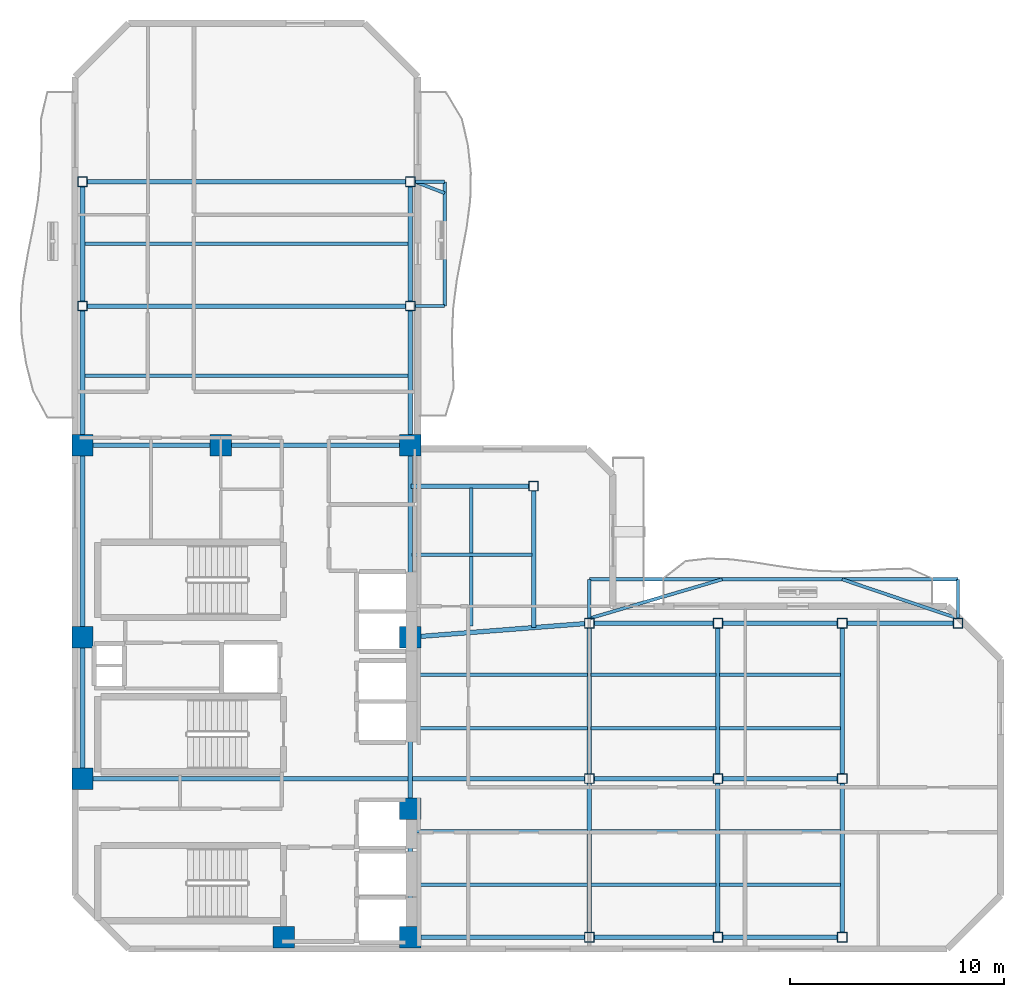
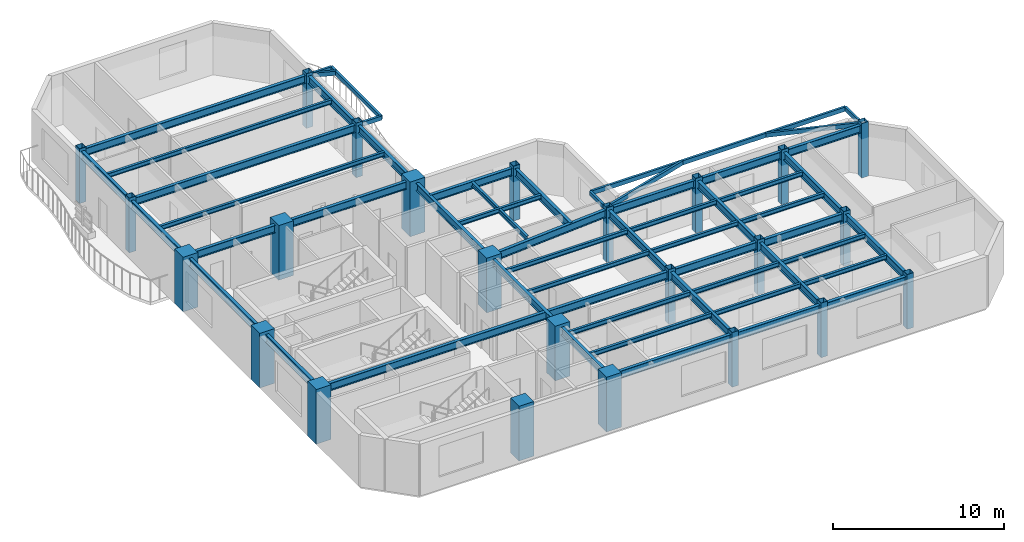
# One storey, part 1 of 9: 56 beams, 24 columns.
"""IFC4 building model written with IfcOpenShell, lengths in metres."""

from ifc_helpers import new_model, si_unit, direction, frame, origin, origin_2d, place, context, subcontext, project, spatial, rectangle, hollow_rectangle, i_section, extrude, material, material_profile, profile_set, type_object, element, save


model = new_model("IFC4")

# Units and contexts
model_context = context("Model", 3, precision=1e-05, world=origin(), true_north=direction((0.0, 1.0)))
body_context = subcontext(model_context, "Body", "Model", "MODEL_VIEW")
ifc_project = project(units=[si_unit("LENGTHUNIT", "METRE"), si_unit("AREAUNIT", "SQUARE_METRE"), si_unit("VOLUMEUNIT", "CUBIC_METRE"), si_unit("PLANEANGLEUNIT", "RADIAN"), si_unit("MASSUNIT", "GRAM", prefix="KILO")], contexts=[model_context])

# Site, building, storey
site_placement = place(None, origin())
site = spatial("IfcSite", under=ifc_project, at=site_placement, CompositionType="ELEMENT")
building_placement = place(site_placement, origin())
building = spatial("IfcBuilding", under=site, at=building_placement, Name="Mawjaban Terraces University", CompositionType="ELEMENT")
storey_placement = place(building_placement, frame((0.0, 0.0, 195.300048828125)))
storey = spatial("IfcBuildingStorey", under=building, at=storey_placement, Name="L47", CompositionType="ELEMENT", Elevation=195.300048828125)

# Columns
ifc_material_1 = material(Name="Concrete C60/75", Category="concrete")
ifc_material_profile_1 = material_profile(ifc_material_1, rectangle(XDim=1.0, YDim=1.0, at=origin_2d()), Name="RC1000X1000")
ifc_profile_set_1 = profile_set([ifc_material_profile_1], Name="Concrete C60/75")
column_type_1 = type_object("IfcColumnType", Name="Col_RC1000X1000", PredefinedType="COLUMN", material=ifc_profile_set_1)
for number, where, z_axis, x_axis, name in (
    (1, (31.75, 0.550048828125, 0.0), (0.0, 0.0, 1.0), (1.0, 0.0, 0.0), "L47 Column CC2"),
    (2, (37.64990234375, 0.550048828125, 0.0), (0.0, 0.0, 1.0), (1.0, 0.0, 0.0), "L47 Column CC3"),
    (3, (22.35009765625, 7.949951171875, 0.0), (0.0, 0.0, 1.0), (1.0, 0.0, 0.0), "L47 Column CC4"),
    (4, (37.64990234375, 6.550048828125, 0.0), (0.0, 0.0, 1.0), (1.0, 0.0, 0.0), "L47 Column CC5"),
    (5, (22.35009765625, 14.550048828125, 0.0), (0.0, 0.0, 1.0), (1.0, 0.0, 0.0), "L47 Column CC6"),
    (6, (37.64990234375, 14.550048828125, 0.0), (0.0, 0.0, 1.0), (1.0, 0.0, 0.0), "L47 Column CC7"),
    (7, (22.35009765625, 23.5, 0.0), (0.0, 0.0, 1.0), (1.0, 0.0, 0.0), "L47 Column CC8"),
    (8, (28.800048828125, 23.5, 0.0), (0.0, 0.0, 1.0), (1.0, 0.0, 0.0), "L47 Column CC9"),
    (9, (37.64990234375, 23.5, 0.0), (0.0, 0.0, 1.0), (1.0, 0.0, 0.0), "L47 Column CC10"),
):
    element("IfcColumn", number, at=place(storey_placement, frame(where, z_axis=z_axis, x_axis=x_axis)), inside=storey, type_object=column_type_1, Name=name, PredefinedType="COLUMN", context=body_context, shape_type="SweptSolid", body=[
        extrude(rectangle(XDim=1.0, YDim=1.0, at=origin_2d()), origin(), (0.0, 0.0, 1.0), 3.89990234375),
    ])
ifc_material_2 = material(Name="Steel EN 10210-1 S355J2H", Category="steel")
ifc_material_profile_2 = material_profile(ifc_material_2, hollow_rectangle(XDim=0.449951171875, YDim=0.449951171875, WallThickness=0.02001953125, at=origin_2d()), Name="SHS450X450X20")
ifc_profile_set_2 = profile_set([ifc_material_profile_2], Name="Steel EN 10210-1 S355J2H")
column_type_2 = type_object("IfcColumnType", Name="Col_SHS450X450X20", PredefinedType="COLUMN", material=ifc_profile_set_2)
for number, where, z_axis, x_axis, name in (
    (10, (46.0, 0.550048828125, 0.0), (0.0, 0.0, 1.0), (1.0, 0.0, 0.0), "L47 Column TE-460-005"),
    (11, (46.0, 7.949951171875, 0.0), (0.0, 0.0, 1.0), (1.0, 0.0, 0.0), "L47 Column TE-460-080"),
    (12, (46.0, 15.199951171875, 0.0), (0.0, 0.0, 1.0), (1.0, 0.0, 0.0), "L47 Column TE-460-152"),
    (13, (52.0, 0.550048828125, 0.0), (0.0, 0.0, 1.0), (1.0, 0.0, 0.0), "L47 Column TE-520-005"),
    (14, (52.0, 7.949951171875, 0.0), (0.0, 0.0, 1.0), (1.0, 0.0, 0.0), "L47 Column TE-520-080"),
    (15, (52.0, 15.199951171875, 0.0), (0.0, 0.0, 1.0), (1.0, 0.0, 0.0), "L47 Column TE-520-152"),
    (16, (57.800048828125, 0.550048828125, 0.0), (0.0, 0.0, 1.0), (1.0, 0.0, 0.0), "L47 Column TE-578-005"),
    (17, (57.800048828125, 7.949951171875, 0.0), (0.0, 0.0, 1.0), (1.0, 0.0, 0.0), "L47 Column TE-578-080"),
    (18, (57.800048828125, 15.199951171875, 0.0), (0.0, 0.0, 1.0), (1.0, 0.0, 0.0), "L47 Column TE-578-152"),
    (19, (63.199951171875, 15.199951171875, 0.0), (0.0, 0.0, 1.0), (1.0, 0.0, 0.0), "L47 Column TE-632-152"),
    (20, (22.35009765625, 30.0, 0.0), (0.0, 0.0, 1.0), (1.0, 0.0, 0.0), "L47 Column TN-223-300"),
    (21, (37.64990234375, 30.0, 0.0), (0.0, 0.0, 1.0), (1.0, 0.0, 0.0), "L47 Column TN-376-300"),
    (22, (22.35009765625, 35.800048828125, 0.0), (0.0, 0.0, 1.0), (1.0, 0.0, 0.0), "L47 Column TN-223-358"),
    (23, (37.64990234375, 35.800048828125, 0.0), (0.0, 0.0, 1.0), (1.0, 0.0, 0.0), "L47 Column TN-376-358"),
    (24, (43.39990234375, 21.60009765625, 0.0), (0.0, 0.0, 1.0), (1.0, 0.0, 0.0), "L47 Column TS-434-216"),
):
    element("IfcColumn", number, at=place(storey_placement, frame(where, z_axis=z_axis, x_axis=x_axis)), inside=storey, type_object=column_type_2, Name=name, PredefinedType="COLUMN", context=body_context, shape_type="SweptSolid", body=[
        extrude(hollow_rectangle(XDim=0.449951171875, YDim=0.449951171875, WallThickness=0.02001953125, at=origin_2d()), origin(), (0.0, 0.0, 1.0), 3.89990234375),
    ])

# Beams
ifc_material_profile_3 = material_profile(ifc_material_2, hollow_rectangle(XDim=0.14990234375, YDim=0.300048828125, WallThickness=0.012451171875, at=origin_2d()), Name="RHS300X150X12.5")
ifc_profile_set_3 = profile_set([ifc_material_profile_3], Name="Steel EN 10210-1 S355J2H")
beam_type_1 = type_object("IfcBeamType", Name="BalconyCantileverSpandrel_RHS", PredefinedType="SPANDREL", material=ifc_profile_set_3)
for number, where, z_axis, x_axis, name in (
    (25, (46.0, 15.425048828125, 3.5400390625), (0.0, 1.0, 0.0), (-1.0, 0.0, 0.0), "L47 Exterior Outrigger BAL-L48-N.1"),
    (26, (63.199951171875, 15.425048828125, 3.5400390625), (0.0, 1.0, 0.0), (-1.0, 0.0, 0.0), "L47 Exterior Outrigger BAL-L48-N.2"),
):
    element("IfcBeam", number, at=place(storey_placement, frame(where, z_axis=z_axis, x_axis=x_axis)), inside=storey, type_object=beam_type_1, Name=name, PredefinedType="SPANDREL", context=body_context, shape_type="SweptSolid", body=[
        extrude(hollow_rectangle(XDim=0.14990234375, YDim=0.300048828125, WallThickness=0.012451171875, at=origin_2d()), origin(), (0.0, 0.0, 1.0), 1.824951171875),
    ])
beam_1_placement = place(storey_placement, frame((46.0, 17.25, 3.5400390625), z_axis=(1.0, 0.0, 0.0), x_axis=(0.0, 1.0, 0.0)))
element("IfcBeam", 27, at=beam_1_placement, inside=storey, type_object=beam_type_1, Name="L47 Exterior Edge Spandrel BAL-L48-N", PredefinedType="SPANDREL", context=body_context, shape_type="SweptSolid", body=[
    extrude(hollow_rectangle(XDim=0.14990234375, YDim=0.300048828125, WallThickness=0.012451171875, at=origin_2d()), origin(), (0.0, 0.0, 1.0), 17.199951171875),
])
beam_2_placement = place(storey_placement, frame((46.0, 15.425048828125, 3.5400390625), z_axis=(0.959305327921, 0.282370833873, 0.0), x_axis=(-0.282370833873, 0.959305327921, 0.0)))
element("IfcBeam", 28, at=beam_2_placement, inside=storey, type_object=beam_type_1, Name="L47 Exterior Diagonal Strut BAL-L48-N.1", PredefinedType="SPANDREL", context=body_context, shape_type="SweptSolid", body=[
    extrude(hollow_rectangle(XDim=0.14990234375, YDim=0.300048828125, WallThickness=0.012451171875, at=origin_2d()), origin(), (0.0, 0.0, 1.0), 6.462890625),
])
beam_3_placement = place(storey_placement, frame((63.199951171875, 15.425048828125, 3.5400390625), z_axis=(-0.947360151124, 0.320169867513, 0.0), x_axis=(-0.320169867513, -0.947360151124, 0.0)))
element("IfcBeam", 29, at=beam_3_placement, inside=storey, type_object=beam_type_1, Name="L47 Exterior Diagonal Strut BAL-L48-N.2", PredefinedType="SPANDREL", context=body_context, shape_type="SweptSolid", body=[
    extrude(hollow_rectangle(XDim=0.14990234375, YDim=0.300048828125, WallThickness=0.012451171875, at=origin_2d()), origin(), (0.0, 0.0, 1.0), 5.699951171875),
])
for number, where, z_axis, x_axis, name in (
    (30, (37.875, 30.0, 3.5400390625), (1.0, 0.0, 0.0), (0.0, 1.0, 0.0), "L47 Exterior Outrigger BAL-L48-E.1"),
    (31, (37.875, 35.800048828125, 3.5400390625), (1.0, 0.0, 0.0), (0.0, 1.0, 0.0), "L47 Exterior Outrigger BAL-L48-E.2"),
):
    element("IfcBeam", number, at=place(storey_placement, frame(where, z_axis=z_axis, x_axis=x_axis)), inside=storey, type_object=beam_type_1, Name=name, PredefinedType="SPANDREL", context=body_context, shape_type="SweptSolid", body=[
        extrude(hollow_rectangle(XDim=0.14990234375, YDim=0.300048828125, WallThickness=0.012451171875, at=origin_2d()), origin(), (0.0, 0.0, 1.0), 1.375),
    ])
beam_4_placement = place(storey_placement, frame((39.25, 30.0, 3.5400390625), z_axis=(0.0, 1.0, 0.0), x_axis=(-1.0, 0.0, 0.0)))
element("IfcBeam", 32, at=beam_4_placement, inside=storey, type_object=beam_type_1, Name="L47 Exterior Edge Spandrel BAL-L48-E", PredefinedType="SPANDREL", context=body_context, shape_type="SweptSolid", body=[
    extrude(hollow_rectangle(XDim=0.14990234375, YDim=0.300048828125, WallThickness=0.012451171875, at=origin_2d()), origin(), (0.0, 0.0, 1.0), 5.800048828125),
])
beam_5_placement = place(storey_placement, frame((37.875, 35.800048828125, 3.5400390625), z_axis=(0.933076337284, -0.35967839635, 0.0), x_axis=(0.35967839635, 0.933076337284, 0.0)))
element("IfcBeam", 33, at=beam_5_placement, inside=storey, type_object=beam_type_1, Name="L47 Exterior Diagonal Strut BAL-L48-E.2", PredefinedType="SPANDREL", context=body_context, shape_type="SweptSolid", body=[
    extrude(hollow_rectangle(XDim=0.14990234375, YDim=0.300048828125, WallThickness=0.012451171875, at=origin_2d()), origin(), (0.0, 0.0, 1.0), 1.4736328125),
])
ifc_material_3 = material(Name="Steel ASTM A572 Grade 50", Category="steel")
ifc_material_profile_4 = material_profile(ifc_material_3, i_section(OverallWidth=0.2119140625, OverallDepth=0.5439453125, WebThickness=0.01318359375, FlangeThickness=0.021240234375, at=origin_2d()), Name="W530X123")
ifc_profile_set_4 = profile_set([ifc_material_profile_4], Name="Steel ASTM A572 Grade 50")
beam_type_2 = type_object("IfcBeamType", Name="Beam_B_W530X123", PredefinedType="BEAM", material=ifc_profile_set_4)
beam_6_placement = place(storey_placement, frame((38.14990234375, 0.550048828125, 3.41796875), z_axis=(1.0, 0.0, 0.0), x_axis=(0.0, 1.0, 0.0)))
element("IfcBeam", 34, at=beam_6_placement, inside=storey, type_object=beam_type_2, Name="L47 Beam BM-L47-EW-01", PredefinedType="BEAM", context=body_context, shape_type="SweptSolid", body=[
    extrude(i_section(OverallWidth=0.2119140625, OverallDepth=0.5439453125, WebThickness=0.01318359375, FlangeThickness=0.021240234375, at=origin_2d()), origin(), (0.0, 0.0, 1.0), 7.625),
])
beam_7_placement = place(storey_placement, frame((46.22509765625, 0.550048828125, 3.41796875), z_axis=(1.0, 0.0, 0.0), x_axis=(0.0, 1.0, 0.0)))
element("IfcBeam", 35, at=beam_7_placement, inside=storey, type_object=beam_type_2, Name="L47 Beam BM-L47-EW-02", PredefinedType="BEAM", context=body_context, shape_type="SweptSolid", body=[
    extrude(i_section(OverallWidth=0.2119140625, OverallDepth=0.5439453125, WebThickness=0.01318359375, FlangeThickness=0.021240234375, at=origin_2d()), origin(), (0.0, 0.0, 1.0), 5.5498046875),
])
beam_8_placement = place(storey_placement, frame((52.22509765625, 0.550048828125, 3.41796875), z_axis=(1.0, 0.0, 0.0), x_axis=(0.0, 1.0, 0.0)))
element("IfcBeam", 36, at=beam_8_placement, inside=storey, type_object=beam_type_2, Name="L47 Beam BM-L47-EW-03", PredefinedType="BEAM", context=body_context, shape_type="SweptSolid", body=[
    extrude(i_section(OverallWidth=0.2119140625, OverallDepth=0.5439453125, WebThickness=0.01318359375, FlangeThickness=0.021240234375, at=origin_2d()), origin(), (0.0, 0.0, 1.0), 5.349853515625),
])
beam_9_placement = place(storey_placement, frame((22.85009765625, 7.949951171875, 3.41796875), z_axis=(1.0, 0.0, 0.0), x_axis=(0.0, 1.0, 0.0)))
element("IfcBeam", 37, at=beam_9_placement, inside=storey, type_object=beam_type_2, Name="L47 Beam BM-L47-EW-04", PredefinedType="BEAM", context=body_context, shape_type="SweptSolid", body=[
    extrude(i_section(OverallWidth=0.2119140625, OverallDepth=0.5439453125, WebThickness=0.01318359375, FlangeThickness=0.021240234375, at=origin_2d()), origin(), (0.0, 0.0, 1.0), 22.9248046875),
])
beam_10_placement = place(storey_placement, frame((46.22509765625, 7.949951171875, 3.41796875), z_axis=(1.0, 0.0, 0.0), x_axis=(0.0, 1.0, 0.0)))
element("IfcBeam", 38, at=beam_10_placement, inside=storey, type_object=beam_type_2, Name="L47 Beam BM-L47-EW-05", PredefinedType="BEAM", context=body_context, shape_type="SweptSolid", body=[
    extrude(i_section(OverallWidth=0.2119140625, OverallDepth=0.5439453125, WebThickness=0.01318359375, FlangeThickness=0.021240234375, at=origin_2d()), origin(), (0.0, 0.0, 1.0), 5.5498046875),
])
beam_11_placement = place(storey_placement, frame((52.22509765625, 7.949951171875, 3.41796875), z_axis=(1.0, 0.0, 0.0), x_axis=(0.0, 1.0, 0.0)))
element("IfcBeam", 39, at=beam_11_placement, inside=storey, type_object=beam_type_2, Name="L47 Beam BM-L47-EW-06", PredefinedType="BEAM", context=body_context, shape_type="SweptSolid", body=[
    extrude(i_section(OverallWidth=0.2119140625, OverallDepth=0.5439453125, WebThickness=0.01318359375, FlangeThickness=0.021240234375, at=origin_2d()), origin(), (0.0, 0.0, 1.0), 5.349853515625),
])
beam_12_placement = place(storey_placement, frame((46.22509765625, 15.199951171875, 3.41796875), z_axis=(1.0, 0.0, 0.0), x_axis=(0.0, 1.0, 0.0)))
element("IfcBeam", 40, at=beam_12_placement, inside=storey, type_object=beam_type_2, Name="L47 Beam BM-L47-EW-07", PredefinedType="BEAM", context=body_context, shape_type="SweptSolid", body=[
    extrude(i_section(OverallWidth=0.2119140625, OverallDepth=0.5439453125, WebThickness=0.01318359375, FlangeThickness=0.021240234375, at=origin_2d()), origin(), (0.0, 0.0, 1.0), 5.5498046875),
])
beam_13_placement = place(storey_placement, frame((52.22509765625, 15.199951171875, 3.41796875), z_axis=(1.0, 0.0, 0.0), x_axis=(0.0, 1.0, 0.0)))
element("IfcBeam", 41, at=beam_13_placement, inside=storey, type_object=beam_type_2, Name="L47 Beam BM-L47-EW-08", PredefinedType="BEAM", context=body_context, shape_type="SweptSolid", body=[
    extrude(i_section(OverallWidth=0.2119140625, OverallDepth=0.5439453125, WebThickness=0.01318359375, FlangeThickness=0.021240234375, at=origin_2d()), origin(), (0.0, 0.0, 1.0), 5.349853515625),
])
beam_14_placement = place(storey_placement, frame((58.02490234375, 15.199951171875, 3.41796875), z_axis=(1.0, 0.0, 0.0), x_axis=(0.0, 1.0, 0.0)))
element("IfcBeam", 42, at=beam_14_placement, inside=storey, type_object=beam_type_2, Name="L47 Beam BM-L47-EW-09", PredefinedType="BEAM", context=body_context, shape_type="SweptSolid", body=[
    extrude(i_section(OverallWidth=0.2119140625, OverallDepth=0.5439453125, WebThickness=0.01318359375, FlangeThickness=0.021240234375, at=origin_2d()), origin(), (0.0, 0.0, 1.0), 4.9501953125),
])
beam_15_placement = place(storey_placement, frame((22.85009765625, 23.5, 3.41796875), z_axis=(1.0, 0.0, 0.0), x_axis=(0.0, 1.0, 0.0)))
element("IfcBeam", 43, at=beam_15_placement, inside=storey, type_object=beam_type_2, Name="L47 Beam BM-L47-EW-10", PredefinedType="BEAM", context=body_context, shape_type="SweptSolid", body=[
    extrude(i_section(OverallWidth=0.2119140625, OverallDepth=0.5439453125, WebThickness=0.01318359375, FlangeThickness=0.021240234375, at=origin_2d()), origin(), (0.0, 0.0, 1.0), 5.449951171875),
])
beam_16_placement = place(storey_placement, frame((29.300048828125, 23.5, 3.41796875), z_axis=(1.0, 0.0, 0.0), x_axis=(0.0, 1.0, 0.0)))
element("IfcBeam", 44, at=beam_16_placement, inside=storey, type_object=beam_type_2, Name="L47 Beam BM-L47-EW-11", PredefinedType="BEAM", context=body_context, shape_type="SweptSolid", body=[
    extrude(i_section(OverallWidth=0.2119140625, OverallDepth=0.5439453125, WebThickness=0.01318359375, FlangeThickness=0.021240234375, at=origin_2d()), origin(), (0.0, 0.0, 1.0), 7.849853515625),
])
for number, where, z_axis, x_axis, name in (
    (45, (22.574951171875, 30.0, 3.41796875), (1.0, 0.0, 0.0), (0.0, 1.0, 0.0), "L47 Beam BM-L47-EW-12"),
    (46, (22.574951171875, 35.800048828125, 3.41796875), (1.0, 0.0, 0.0), (0.0, 1.0, 0.0), "L47 Beam BM-L47-EW-13"),
):
    element("IfcBeam", number, at=place(storey_placement, frame(where, z_axis=z_axis, x_axis=x_axis)), inside=storey, type_object=beam_type_2, Name=name, PredefinedType="BEAM", context=body_context, shape_type="SweptSolid", body=[
        extrude(i_section(OverallWidth=0.2119140625, OverallDepth=0.5439453125, WebThickness=0.01318359375, FlangeThickness=0.021240234375, at=origin_2d()), origin(), (0.0, 0.0, 1.0), 14.85009765625),
    ])
beam_17_placement = place(storey_placement, frame((22.35009765625, 8.449951171875, 3.41796875), z_axis=(0.0, 1.0, 0.0), x_axis=(-1.0, 0.0, 0.0)))
element("IfcBeam", 47, at=beam_17_placement, inside=storey, type_object=beam_type_2, Name="L47 Beam BM-L47-NS-01", PredefinedType="BEAM", context=body_context, shape_type="SweptSolid", body=[
    extrude(i_section(OverallWidth=0.2119140625, OverallDepth=0.5439453125, WebThickness=0.01318359375, FlangeThickness=0.021240234375, at=origin_2d()), origin(), (0.0, 0.0, 1.0), 5.60009765625),
])
beam_18_placement = place(storey_placement, frame((22.35009765625, 15.050048828125, 3.41796875), z_axis=(0.0, 1.0, 0.0), x_axis=(-1.0, 0.0, 0.0)))
element("IfcBeam", 48, at=beam_18_placement, inside=storey, type_object=beam_type_2, Name="L47 Beam BM-L47-NS-02", PredefinedType="BEAM", context=body_context, shape_type="SweptSolid", body=[
    extrude(i_section(OverallWidth=0.2119140625, OverallDepth=0.5439453125, WebThickness=0.01318359375, FlangeThickness=0.021240234375, at=origin_2d()), origin(), (0.0, 0.0, 1.0), 7.949951171875),
])
beam_19_placement = place(storey_placement, frame((22.35009765625, 24.0, 3.41796875), z_axis=(0.0, 1.0, 0.0), x_axis=(-1.0, 0.0, 0.0)))
element("IfcBeam", 49, at=beam_19_placement, inside=storey, type_object=beam_type_2, Name="L47 Beam BM-L47-NS-03", PredefinedType="BEAM", context=body_context, shape_type="SweptSolid", body=[
    extrude(i_section(OverallWidth=0.2119140625, OverallDepth=0.5439453125, WebThickness=0.01318359375, FlangeThickness=0.021240234375, at=origin_2d()), origin(), (0.0, 0.0, 1.0), 5.77490234375),
])
beam_20_placement = place(storey_placement, frame((22.35009765625, 30.22509765625, 3.41796875), z_axis=(0.0, 1.0, 0.0), x_axis=(-1.0, 0.0, 0.0)))
element("IfcBeam", 50, at=beam_20_placement, inside=storey, type_object=beam_type_2, Name="L47 Beam BM-L47-NS-04", PredefinedType="BEAM", context=body_context, shape_type="SweptSolid", body=[
    extrude(i_section(OverallWidth=0.2119140625, OverallDepth=0.5439453125, WebThickness=0.01318359375, FlangeThickness=0.021240234375, at=origin_2d()), origin(), (0.0, 0.0, 1.0), 5.349853515625),
])
beam_21_placement = place(storey_placement, frame((37.64990234375, 1.050048828125, 3.41796875), z_axis=(0.0, 1.0, 0.0), x_axis=(-1.0, 0.0, 0.0)))
element("IfcBeam", 51, at=beam_21_placement, inside=storey, type_object=beam_type_2, Name="L47 Beam BM-L47-NS-05", PredefinedType="BEAM", context=body_context, shape_type="SweptSolid", body=[
    extrude(i_section(OverallWidth=0.2119140625, OverallDepth=0.5439453125, WebThickness=0.01318359375, FlangeThickness=0.021240234375, at=origin_2d()), origin(), (0.0, 0.0, 1.0), 5.0),
])
beam_22_placement = place(storey_placement, frame((37.64990234375, 7.050048828125, 3.41796875), z_axis=(0.0, 1.0, 0.0), x_axis=(-1.0, 0.0, 0.0)))
element("IfcBeam", 52, at=beam_22_placement, inside=storey, type_object=beam_type_2, Name="L47 Beam BM-L47-NS-06", PredefinedType="BEAM", context=body_context, shape_type="SweptSolid", body=[
    extrude(i_section(OverallWidth=0.2119140625, OverallDepth=0.5439453125, WebThickness=0.01318359375, FlangeThickness=0.021240234375, at=origin_2d()), origin(), (0.0, 0.0, 1.0), 7.0),
])
beam_23_placement = place(storey_placement, frame((37.64990234375, 15.050048828125, 3.41796875), z_axis=(0.0, 1.0, 0.0), x_axis=(-1.0, 0.0, 0.0)))
element("IfcBeam", 53, at=beam_23_placement, inside=storey, type_object=beam_type_2, Name="L47 Beam BM-L47-NS-07", PredefinedType="BEAM", context=body_context, shape_type="SweptSolid", body=[
    extrude(i_section(OverallWidth=0.2119140625, OverallDepth=0.5439453125, WebThickness=0.01318359375, FlangeThickness=0.021240234375, at=origin_2d()), origin(), (0.0, 0.0, 1.0), 7.949951171875),
])
beam_24_placement = place(storey_placement, frame((37.64990234375, 24.0, 3.41796875), z_axis=(0.0, 1.0, 0.0), x_axis=(-1.0, 0.0, 0.0)))
element("IfcBeam", 54, at=beam_24_placement, inside=storey, type_object=beam_type_2, Name="L47 Beam BM-L47-NS-08", PredefinedType="BEAM", context=body_context, shape_type="SweptSolid", body=[
    extrude(i_section(OverallWidth=0.2119140625, OverallDepth=0.5439453125, WebThickness=0.01318359375, FlangeThickness=0.021240234375, at=origin_2d()), origin(), (0.0, 0.0, 1.0), 5.77490234375),
])
beam_25_placement = place(storey_placement, frame((37.64990234375, 30.22509765625, 3.41796875), z_axis=(0.0, 1.0, 0.0), x_axis=(-1.0, 0.0, 0.0)))
element("IfcBeam", 55, at=beam_25_placement, inside=storey, type_object=beam_type_2, Name="L47 Beam BM-L47-NS-09", PredefinedType="BEAM", context=body_context, shape_type="SweptSolid", body=[
    extrude(i_section(OverallWidth=0.2119140625, OverallDepth=0.5439453125, WebThickness=0.01318359375, FlangeThickness=0.021240234375, at=origin_2d()), origin(), (0.0, 0.0, 1.0), 5.349853515625),
])
beam_26_placement = place(storey_placement, frame((46.0, 0.77490234375, 3.41796875), z_axis=(0.0, 1.0, 0.0), x_axis=(-1.0, 0.0, 0.0)))
element("IfcBeam", 56, at=beam_26_placement, inside=storey, type_object=beam_type_2, Name="L47 Beam BM-L47-NS-10", PredefinedType="BEAM", context=body_context, shape_type="SweptSolid", body=[
    extrude(i_section(OverallWidth=0.2119140625, OverallDepth=0.5439453125, WebThickness=0.01318359375, FlangeThickness=0.021240234375, at=origin_2d()), origin(), (0.0, 0.0, 1.0), 6.9501953125),
])
beam_27_placement = place(storey_placement, frame((46.0, 8.175048828125, 3.41796875), z_axis=(0.0, 1.0, 0.0), x_axis=(-1.0, 0.0, 0.0)))
element("IfcBeam", 57, at=beam_27_placement, inside=storey, type_object=beam_type_2, Name="L47 Beam BM-L47-NS-11", PredefinedType="BEAM", context=body_context, shape_type="SweptSolid", body=[
    extrude(i_section(OverallWidth=0.2119140625, OverallDepth=0.5439453125, WebThickness=0.01318359375, FlangeThickness=0.021240234375, at=origin_2d()), origin(), (0.0, 0.0, 1.0), 6.800048828125),
])
beam_28_placement = place(storey_placement, frame((52.0, 0.77490234375, 3.41796875), z_axis=(0.0, 1.0, 0.0), x_axis=(-1.0, 0.0, 0.0)))
element("IfcBeam", 58, at=beam_28_placement, inside=storey, type_object=beam_type_2, Name="L47 Beam BM-L47-NS-12", PredefinedType="BEAM", context=body_context, shape_type="SweptSolid", body=[
    extrude(i_section(OverallWidth=0.2119140625, OverallDepth=0.5439453125, WebThickness=0.01318359375, FlangeThickness=0.021240234375, at=origin_2d()), origin(), (0.0, 0.0, 1.0), 6.9501953125),
])
beam_29_placement = place(storey_placement, frame((52.0, 8.175048828125, 3.41796875), z_axis=(0.0, 1.0, 0.0), x_axis=(-1.0, 0.0, 0.0)))
element("IfcBeam", 59, at=beam_29_placement, inside=storey, type_object=beam_type_2, Name="L47 Beam BM-L47-NS-13", PredefinedType="BEAM", context=body_context, shape_type="SweptSolid", body=[
    extrude(i_section(OverallWidth=0.2119140625, OverallDepth=0.5439453125, WebThickness=0.01318359375, FlangeThickness=0.021240234375, at=origin_2d()), origin(), (0.0, 0.0, 1.0), 6.800048828125),
])
beam_30_placement = place(storey_placement, frame((57.800048828125, 0.77490234375, 3.41796875), z_axis=(0.0, 1.0, 0.0), x_axis=(-1.0, 0.0, 0.0)))
element("IfcBeam", 60, at=beam_30_placement, inside=storey, type_object=beam_type_2, Name="L47 Beam BM-L47-NS-14", PredefinedType="BEAM", context=body_context, shape_type="SweptSolid", body=[
    extrude(i_section(OverallWidth=0.2119140625, OverallDepth=0.5439453125, WebThickness=0.01318359375, FlangeThickness=0.021240234375, at=origin_2d()), origin(), (0.0, 0.0, 1.0), 6.9501953125),
])
beam_31_placement = place(storey_placement, frame((57.800048828125, 8.175048828125, 3.41796875), z_axis=(0.0, 1.0, 0.0), x_axis=(-1.0, 0.0, 0.0)))
element("IfcBeam", 61, at=beam_31_placement, inside=storey, type_object=beam_type_2, Name="L47 Beam BM-L47-NS-15", PredefinedType="BEAM", context=body_context, shape_type="SweptSolid", body=[
    extrude(i_section(OverallWidth=0.2119140625, OverallDepth=0.5439453125, WebThickness=0.01318359375, FlangeThickness=0.021240234375, at=origin_2d()), origin(), (0.0, 0.0, 1.0), 6.800048828125),
])
beam_32_placement = place(storey_placement, frame((38.14794921875, 14.589111328125, 3.41796875), z_axis=(0.99698177718, 0.077635919341, 0.0), x_axis=(-0.077635919341, 0.99698177718, 0.0)))
element("IfcBeam", 62, at=beam_32_placement, inside=storey, type_object=beam_type_2, Name="L47 Beam BM-L47-CTIE", PredefinedType="BEAM", context=body_context, shape_type="SweptSolid", body=[
    extrude(i_section(OverallWidth=0.2119140625, OverallDepth=0.5439453125, WebThickness=0.01318359375, FlangeThickness=0.021240234375, at=origin_2d()), origin(), (0.0, 0.0, 1.0), 7.651123046875),
])
beam_33_placement = place(storey_placement, frame((37.679931640625, 21.60009765625, 3.41796875), z_axis=(1.0, 0.0, 0.0), x_axis=(0.0, 1.0, 0.0)))
element("IfcBeam", 63, at=beam_33_placement, inside=storey, type_object=beam_type_2, Name="L47 Spur Tie Girder West", PredefinedType="BEAM", context=body_context, shape_type="SweptSolid", body=[
    extrude(i_section(OverallWidth=0.2119140625, OverallDepth=0.5439453125, WebThickness=0.01318359375, FlangeThickness=0.021240234375, at=origin_2d()), origin(), (0.0, 0.0, 1.0), 5.4951171875),
])
beam_34_placement = place(storey_placement, frame((43.39990234375, 15.0, 3.41796875), z_axis=(0.0, 1.0, 0.0), x_axis=(-1.0, 0.0, 0.0)))
element("IfcBeam", 64, at=beam_34_placement, inside=storey, type_object=beam_type_2, Name="L47 Spur Tie Girder South", PredefinedType="BEAM", context=body_context, shape_type="SweptSolid", body=[
    extrude(i_section(OverallWidth=0.2119140625, OverallDepth=0.5439453125, WebThickness=0.01318359375, FlangeThickness=0.021240234375, at=origin_2d()), origin(), (0.0, 0.0, 1.0), 6.375),
])
ifc_material_profile_5 = material_profile(ifc_material_3, i_section(OverallWidth=0.1669921875, OverallDepth=0.318115234375, WebThickness=0.007568359375, FlangeThickness=0.01318359375, at=origin_2d()), Name="W310X52")
ifc_profile_set_5 = profile_set([ifc_material_profile_5], Name="Steel ASTM A572 Grade 50")
beam_type_3 = type_object("IfcBeamType", Name="Beam_J_W310X52", PredefinedType="JOIST", material=ifc_profile_set_5)
beam_35_placement = place(storey_placement, frame((37.72998046875, 3.0, 3.531005859375), z_axis=(1.0, 0.0, 0.0), x_axis=(0.0, 1.0, 0.0)))
element("IfcBeam", 65, at=beam_35_placement, inside=storey, type_object=beam_type_3, Name="L47 Composite Joist JST-L47-01", PredefinedType="JOIST", context=body_context, shape_type="SweptSolid", body=[
    extrude(i_section(OverallWidth=0.1669921875, OverallDepth=0.318115234375, WebThickness=0.007568359375, FlangeThickness=0.01318359375, at=origin_2d()), origin(), (0.0, 0.0, 1.0), 8.18994140625),
])
beam_36_placement = place(storey_placement, frame((46.080078125, 3.0, 3.531005859375), z_axis=(1.0, 0.0, 0.0), x_axis=(0.0, 1.0, 0.0)))
element("IfcBeam", 66, at=beam_36_placement, inside=storey, type_object=beam_type_3, Name="L47 Composite Joist JST-L47-02", PredefinedType="JOIST", context=body_context, shape_type="SweptSolid", body=[
    extrude(i_section(OverallWidth=0.1669921875, OverallDepth=0.318115234375, WebThickness=0.007568359375, FlangeThickness=0.01318359375, at=origin_2d()), origin(), (0.0, 0.0, 1.0), 5.83984375),
])
beam_37_placement = place(storey_placement, frame((52.080078125, 3.0, 3.531005859375), z_axis=(1.0, 0.0, 0.0), x_axis=(0.0, 1.0, 0.0)))
element("IfcBeam", 67, at=beam_37_placement, inside=storey, type_object=beam_type_3, Name="L47 Composite Joist JST-L47-03", PredefinedType="JOIST", context=body_context, shape_type="SweptSolid", body=[
    extrude(i_section(OverallWidth=0.1669921875, OverallDepth=0.318115234375, WebThickness=0.007568359375, FlangeThickness=0.01318359375, at=origin_2d()), origin(), (0.0, 0.0, 1.0), 5.639892578125),
])
beam_38_placement = place(storey_placement, frame((37.72998046875, 5.5, 3.531005859375), z_axis=(1.0, 0.0, 0.0), x_axis=(0.0, 1.0, 0.0)))
element("IfcBeam", 68, at=beam_38_placement, inside=storey, type_object=beam_type_3, Name="L47 Composite Joist JST-L47-04", PredefinedType="JOIST", context=body_context, shape_type="SweptSolid", body=[
    extrude(i_section(OverallWidth=0.1669921875, OverallDepth=0.318115234375, WebThickness=0.007568359375, FlangeThickness=0.01318359375, at=origin_2d()), origin(), (0.0, 0.0, 1.0), 8.18994140625),
])
beam_39_placement = place(storey_placement, frame((46.080078125, 5.5, 3.531005859375), z_axis=(1.0, 0.0, 0.0), x_axis=(0.0, 1.0, 0.0)))
element("IfcBeam", 69, at=beam_39_placement, inside=storey, type_object=beam_type_3, Name="L47 Composite Joist JST-L47-05", PredefinedType="JOIST", context=body_context, shape_type="SweptSolid", body=[
    extrude(i_section(OverallWidth=0.1669921875, OverallDepth=0.318115234375, WebThickness=0.007568359375, FlangeThickness=0.01318359375, at=origin_2d()), origin(), (0.0, 0.0, 1.0), 5.83984375),
])
beam_40_placement = place(storey_placement, frame((52.080078125, 5.5, 3.531005859375), z_axis=(1.0, 0.0, 0.0), x_axis=(0.0, 1.0, 0.0)))
element("IfcBeam", 70, at=beam_40_placement, inside=storey, type_object=beam_type_3, Name="L47 Composite Joist JST-L47-06", PredefinedType="JOIST", context=body_context, shape_type="SweptSolid", body=[
    extrude(i_section(OverallWidth=0.1669921875, OverallDepth=0.318115234375, WebThickness=0.007568359375, FlangeThickness=0.01318359375, at=origin_2d()), origin(), (0.0, 0.0, 1.0), 5.639892578125),
])
beam_41_placement = place(storey_placement, frame((37.72998046875, 10.300048828125, 3.531005859375), z_axis=(1.0, 0.0, 0.0), x_axis=(0.0, 1.0, 0.0)))
element("IfcBeam", 71, at=beam_41_placement, inside=storey, type_object=beam_type_3, Name="L47 Composite Joist JST-L47-07", PredefinedType="JOIST", context=body_context, shape_type="SweptSolid", body=[
    extrude(i_section(OverallWidth=0.1669921875, OverallDepth=0.318115234375, WebThickness=0.007568359375, FlangeThickness=0.01318359375, at=origin_2d()), origin(), (0.0, 0.0, 1.0), 8.18994140625),
])
beam_42_placement = place(storey_placement, frame((46.080078125, 10.300048828125, 3.531005859375), z_axis=(1.0, 0.0, 0.0), x_axis=(0.0, 1.0, 0.0)))
element("IfcBeam", 72, at=beam_42_placement, inside=storey, type_object=beam_type_3, Name="L47 Composite Joist JST-L47-08", PredefinedType="JOIST", context=body_context, shape_type="SweptSolid", body=[
    extrude(i_section(OverallWidth=0.1669921875, OverallDepth=0.318115234375, WebThickness=0.007568359375, FlangeThickness=0.01318359375, at=origin_2d()), origin(), (0.0, 0.0, 1.0), 5.83984375),
])
beam_43_placement = place(storey_placement, frame((52.080078125, 10.300048828125, 3.531005859375), z_axis=(1.0, 0.0, 0.0), x_axis=(0.0, 1.0, 0.0)))
element("IfcBeam", 73, at=beam_43_placement, inside=storey, type_object=beam_type_3, Name="L47 Composite Joist JST-L47-09", PredefinedType="JOIST", context=body_context, shape_type="SweptSolid", body=[
    extrude(i_section(OverallWidth=0.1669921875, OverallDepth=0.318115234375, WebThickness=0.007568359375, FlangeThickness=0.01318359375, at=origin_2d()), origin(), (0.0, 0.0, 1.0), 5.639892578125),
])
beam_44_placement = place(storey_placement, frame((37.72998046875, 12.800048828125, 3.531005859375), z_axis=(1.0, 0.0, 0.0), x_axis=(0.0, 1.0, 0.0)))
element("IfcBeam", 74, at=beam_44_placement, inside=storey, type_object=beam_type_3, Name="L47 Composite Joist JST-L47-10", PredefinedType="JOIST", context=body_context, shape_type="SweptSolid", body=[
    extrude(i_section(OverallWidth=0.1669921875, OverallDepth=0.318115234375, WebThickness=0.007568359375, FlangeThickness=0.01318359375, at=origin_2d()), origin(), (0.0, 0.0, 1.0), 8.18994140625),
])
beam_45_placement = place(storey_placement, frame((46.080078125, 12.800048828125, 3.531005859375), z_axis=(1.0, 0.0, 0.0), x_axis=(0.0, 1.0, 0.0)))
element("IfcBeam", 75, at=beam_45_placement, inside=storey, type_object=beam_type_3, Name="L47 Composite Joist JST-L47-11", PredefinedType="JOIST", context=body_context, shape_type="SweptSolid", body=[
    extrude(i_section(OverallWidth=0.1669921875, OverallDepth=0.318115234375, WebThickness=0.007568359375, FlangeThickness=0.01318359375, at=origin_2d()), origin(), (0.0, 0.0, 1.0), 5.83984375),
])
beam_46_placement = place(storey_placement, frame((52.080078125, 12.800048828125, 3.531005859375), z_axis=(1.0, 0.0, 0.0), x_axis=(0.0, 1.0, 0.0)))
element("IfcBeam", 76, at=beam_46_placement, inside=storey, type_object=beam_type_3, Name="L47 Composite Joist JST-L47-12", PredefinedType="JOIST", context=body_context, shape_type="SweptSolid", body=[
    extrude(i_section(OverallWidth=0.1669921875, OverallDepth=0.318115234375, WebThickness=0.007568359375, FlangeThickness=0.01318359375, at=origin_2d()), origin(), (0.0, 0.0, 1.0), 5.639892578125),
])
beam_47_placement = place(storey_placement, frame((37.72998046875, 18.39990234375, 3.531005859375), z_axis=(1.0, 0.0, 0.0), x_axis=(0.0, 1.0, 0.0)))
element("IfcBeam", 77, at=beam_47_placement, inside=storey, type_object=beam_type_3, Name="L47 Composite Joist JST-L47-13", PredefinedType="JOIST", context=body_context, shape_type="SweptSolid", body=[
    extrude(i_section(OverallWidth=0.1669921875, OverallDepth=0.318115234375, WebThickness=0.007568359375, FlangeThickness=0.01318359375, at=origin_2d()), origin(), (0.0, 0.0, 1.0), 5.590087890625),
])
for number, where, z_axis, x_axis, name in (
    (78, (22.429931640625, 26.75, 3.531005859375), (1.0, 0.0, 0.0), (0.0, 1.0, 0.0), "L47 Composite Joist JST-L47-14"),
    (79, (22.429931640625, 32.89990234375, 3.531005859375), (1.0, 0.0, 0.0), (0.0, 1.0, 0.0), "L47 Composite Joist JST-L47-15"),
):
    element("IfcBeam", number, at=place(storey_placement, frame(where, z_axis=z_axis, x_axis=x_axis)), inside=storey, type_object=beam_type_3, Name=name, PredefinedType="JOIST", context=body_context, shape_type="SweptSolid", body=[
        extrude(i_section(OverallWidth=0.1669921875, OverallDepth=0.318115234375, WebThickness=0.007568359375, FlangeThickness=0.01318359375, at=origin_2d()), origin(), (0.0, 0.0, 1.0), 15.14013671875),
    ])
beam_48_placement = place(storey_placement, frame((40.5, 15.080078125, 3.531005859375), z_axis=(0.0, 1.0, 0.0), x_axis=(-1.0, 0.0, 0.0)))
element("IfcBeam", 80, at=beam_48_placement, inside=storey, type_object=beam_type_3, Name="L47 Composite Joist JST-L47-NS-16", PredefinedType="JOIST", context=body_context, shape_type="SweptSolid", body=[
    extrude(i_section(OverallWidth=0.1669921875, OverallDepth=0.318115234375, WebThickness=0.007568359375, FlangeThickness=0.01318359375, at=origin_2d()), origin(), (0.0, 0.0, 1.0), 6.43994140625),
])

save(model, "model.ifc")
